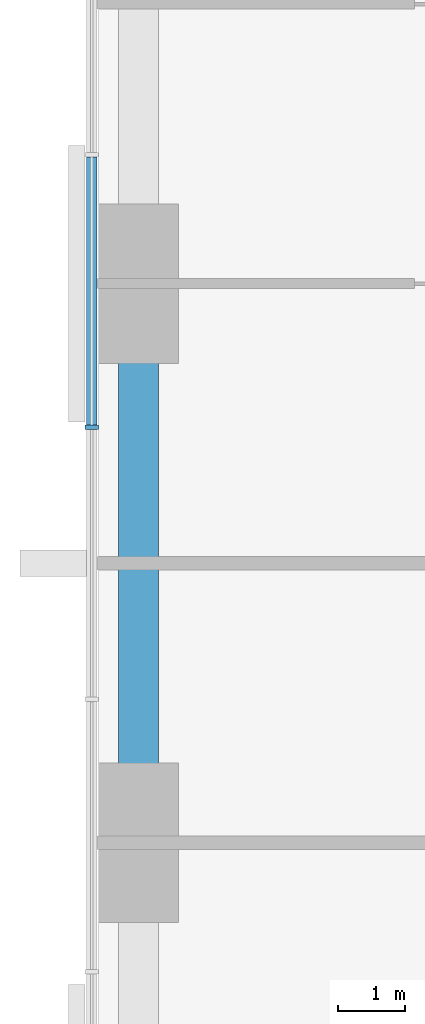
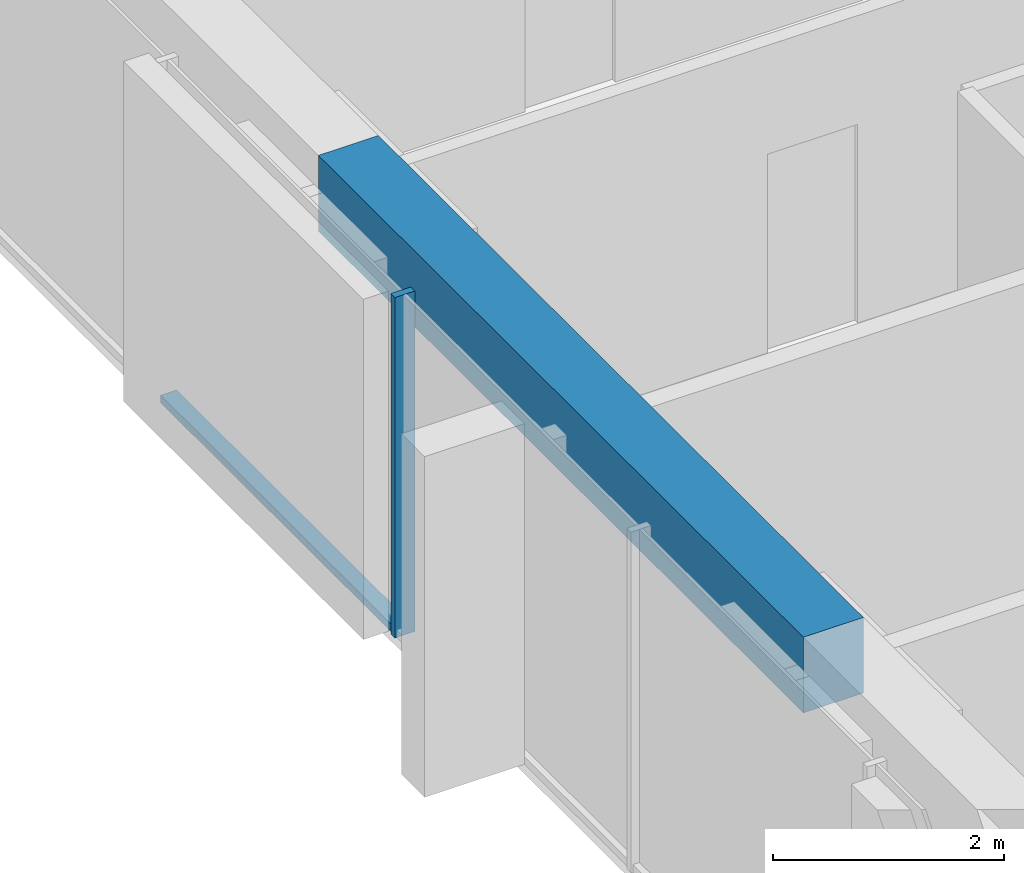
# One storey, part 3 of 13: 2 members, 1 beam, 1 element without a shape of its own.
"""IFC4 building model written with IfcOpenShell, lengths in metres."""

from ifc_helpers import new_model, si_unit, direction, frame, origin, origin_2d, place, context, subcontext, project, spatial, rectangle, extrude, material, material_profile, profile_set, type_object, element, aggregate, save


model = new_model("IFC4")

# Units and contexts
model_context = context("Model", 3, precision=1e-05, world=origin(), true_north=direction((0.0, 1.0)))
body_context = subcontext(model_context, "Body", "Model", "MODEL_VIEW")
ifc_project = project(units=[si_unit("LENGTHUNIT", "METRE"), si_unit("AREAUNIT", "SQUARE_METRE"), si_unit("VOLUMEUNIT", "CUBIC_METRE"), si_unit("PLANEANGLEUNIT", "RADIAN"), si_unit("MASSUNIT", "GRAM", prefix="KILO")], contexts=[model_context])

# Site, building, storey
site_placement = place(None, origin())
site = spatial("IfcSite", under=ifc_project, at=site_placement, CompositionType="ELEMENT")
building_placement = place(site_placement, origin())
building = spatial("IfcBuilding", under=site, at=building_placement, Name="Dunama Terrace Hotel", CompositionType="ELEMENT")
storey_placement = place(building_placement, frame((0.0, 0.0, 205.800048828125)))
storey = spatial("IfcBuildingStorey", under=building, at=storey_placement, Name="L53", CompositionType="ELEMENT", Elevation=205.800048828125)

# Curtain wall, members
ifc_material_1 = material(Name="Aluminium curtain wall system", Category="aluminium")
curtain_wall_type = type_object("IfcCurtainWallType", Name="Unitised fritted glass wall CW-C", PredefinedType="NOTDEFINED", material=ifc_material_1)
curtain_wall_placement = place(storey_placement, origin())
curtain_wall = element("IfcCurtainWall", 1, at=curtain_wall_placement, inside=storey, type_object=curtain_wall_type, Name="Unitised fritted glass wall CW-C L53", PredefinedType="NOTDEFINED")
ifc_material_2 = material(Name="Aluminium mullion", Category="aluminium")
ifc_material_profile_1 = material_profile(ifc_material_2, rectangle(XDim=0.070068359375, YDim=0.199951171875, at=origin_2d()), Name="CWC MULLION 70X200")
ifc_profile_set_1 = profile_set([ifc_material_profile_1], Name="Aluminium mullion")
member_type_1 = type_object("IfcMemberType", Name="CWC mullion 70x200", PredefinedType="MULLION", material=ifc_profile_set_1)
member_1_placement = place(storey_placement, frame((4.10009765625, 31.445068359375, 0.0), z_axis=(0.0, 0.0, 1.0), x_axis=(0.0, -1.0, 0.0)))
member_1 = element("IfcMember", 2, at=member_1_placement, type_object=member_type_1, Name="CWC mullion", PredefinedType="MULLION", context=body_context, shape_type="SweptSolid", body=[
    extrude(rectangle(XDim=0.070068359375, YDim=0.199951171875, at=origin_2d()), origin(), (0.0, 0.0, 1.0), 3.599853515625),
])
ifc_material_3 = material(Name="Aluminium transom", Category="aluminium")
ifc_material_profile_2 = material_profile(ifc_material_3, rectangle(XDim=0.159912109375, YDim=0.080078125, at=origin_2d()), Name="CWC TRANSOM 160X80")
ifc_profile_set_2 = profile_set([ifc_material_profile_2], Name="Aluminium transom")
member_type_2 = type_object("IfcMemberType", Name="CWC transom 160x80", PredefinedType="USERDEFINED", material=ifc_profile_set_2)
member_2_placement = place(storey_placement, frame((4.10009765625, 35.5009765625, 0.0400390625), z_axis=(0.0, -1.0, 0.0), x_axis=(1.0, 0.0, 0.0)))
member_2 = element("IfcMember", 3, at=member_2_placement, type_object=member_type_2, Name="CWC transom", ObjectType="TRANSOM", PredefinedType="USERDEFINED", context=body_context, shape_type="SweptSolid", body=[
    extrude(rectangle(XDim=0.159912109375, YDim=0.080078125, at=origin_2d()), origin(), (0.0, 0.0, 1.0), 4.02099609375),
])
aggregate(curtain_wall, [member_1, member_2])

# Beam
ifc_material_4 = material(Name="Concrete C40/50", Category="concrete")
ifc_material_profile_3 = material_profile(ifc_material_4, rectangle(XDim=0.60009765625, YDim=0.800048828125, at=origin_2d()), Name="RC 600x800")
ifc_profile_set_3 = profile_set([ifc_material_profile_3], Name="Concrete C40/50")
beam_type = type_object("IfcBeamType", Name="Edge beam RC 600x800", PredefinedType="SPANDREL", material=ifc_profile_set_3)
beam_placement = place(storey_placement, frame((4.800048828125, 25.199951171875, 3.199951171875), z_axis=(0.0, 1.0, 0.0), x_axis=(-1.0, 0.0, 0.0)))
element("IfcBeam", 4, at=beam_placement, inside=storey, type_object=beam_type, Name="Edge beam under L54", PredefinedType="SPANDREL", context=body_context, shape_type="SweptSolid", body=[
    extrude(rectangle(XDim=0.60009765625, YDim=0.800048828125, at=origin_2d()), origin(), (0.0, 0.0, 1.0), 8.400146484375),
])

save(model, "model.ifc")
